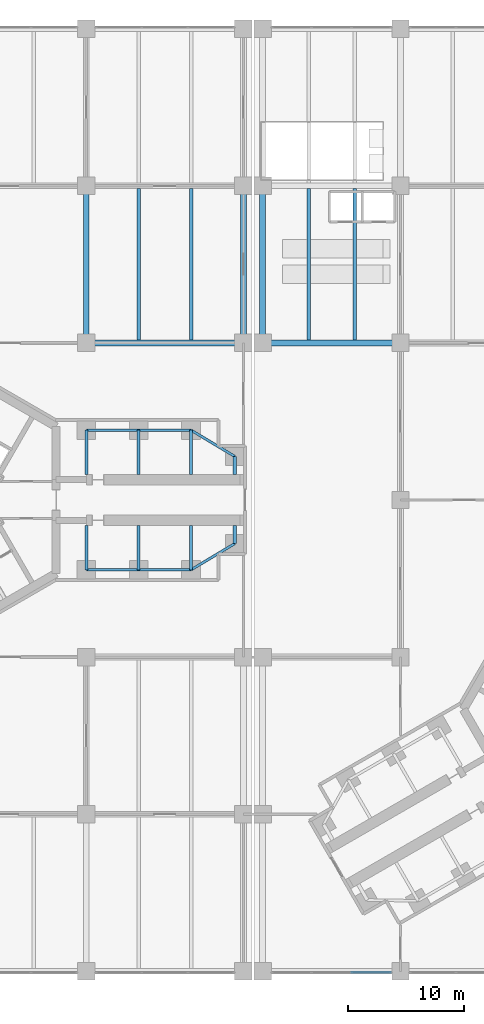
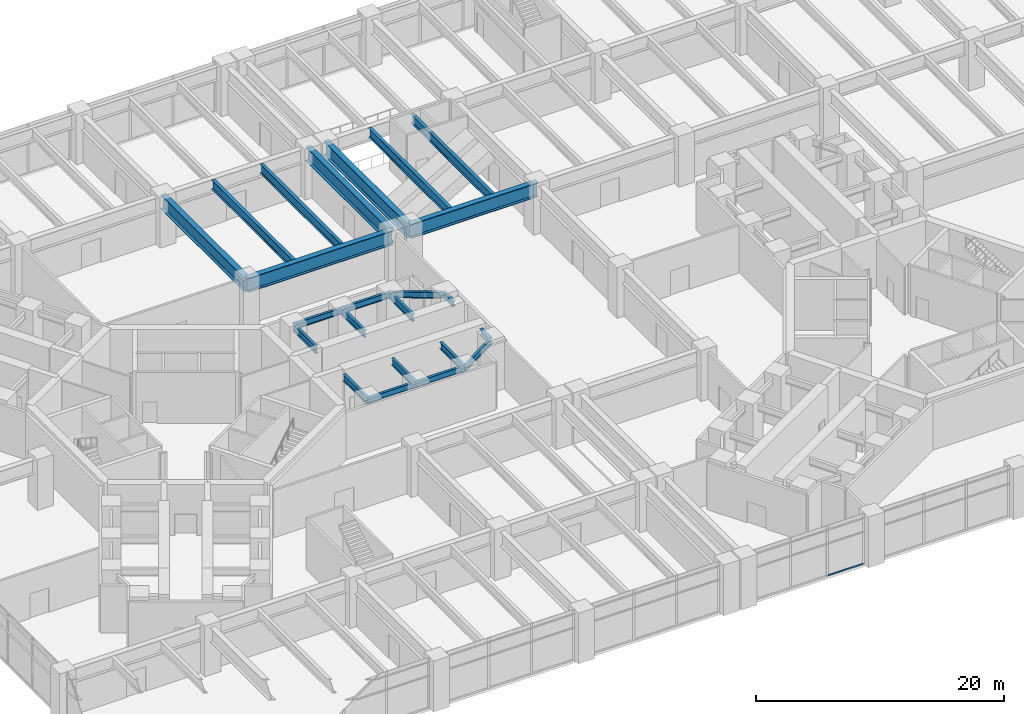
# One storey, part 8 of 32: 23 beams, 1 member, 1 element without a shape of its own.
"""IFC4 building model written with IfcOpenShell, lengths in metres."""

from ifc_helpers import new_model, si_unit, direction, frame, origin, origin_2d, place, context, subcontext, project, spatial, rectangle, i_section, extrude, material, material_profile, profile_set, type_object, element, aggregate, save


model = new_model("IFC4")

# Units and contexts
model_context = context("Model", 3, precision=1e-05, world=origin(), true_north=direction((0.0, 1.0)))
body_context = subcontext(model_context, "Body", "Model", "MODEL_VIEW")
ifc_project = project(units=[si_unit("LENGTHUNIT", "METRE"), si_unit("AREAUNIT", "SQUARE_METRE"), si_unit("VOLUMEUNIT", "CUBIC_METRE"), si_unit("PLANEANGLEUNIT", "RADIAN"), si_unit("MASSUNIT", "GRAM", prefix="KILO")], contexts=[model_context])

# Site, building, storey
site_placement = place(None, origin())
site = spatial("IfcSite", under=ifc_project, at=site_placement, CompositionType="ELEMENT")
building_placement = place(site_placement, origin())
building = spatial("IfcBuilding", under=site, at=building_placement, Name="Upepo Twin Towers", CompositionType="ELEMENT")
storey_placement = place(building_placement, frame((0.0, 0.0, 10.5)))
storey = spatial("IfcBuildingStorey", under=building, at=storey_placement, Name="L02", CompositionType="ELEMENT", Elevation=10.5)

# Beams
ifc_material_1 = material(Name="Steel S355", Category="steel")
ifc_material_profile_1 = material_profile(ifc_material_1, i_section(OverallWidth=0.5, OverallDepth=1.39990234375, WebThickness=0.02490234375, FlangeThickness=0.050048828125, FilletRadius=0.008056640625, at=origin_2d()), Name="PG 1400x500x25x50")
ifc_profile_set_1 = profile_set([ifc_material_profile_1], Name="Steel S355")
beam_type_1 = type_object("IfcBeamType", Name="Beam PG 1400x500x25x50", PredefinedType="BEAM", material=ifc_profile_set_1)
beam_1_placement = place(storey_placement, frame((13.5, 13.5, 3.949951171875), z_axis=(1.0, 0.0, 0.0), x_axis=(0.0, 1.0, 0.0)))
element("IfcBeam", 1, at=beam_1_placement, inside=storey, type_object=beam_type_1, Name="Podium girder E/4-5", PredefinedType="BEAM", context=body_context, shape_type="SweptSolid", body=[
    extrude(i_section(OverallWidth=0.5, OverallDepth=1.39990234375, WebThickness=0.02490234375, FlangeThickness=0.050048828125, FilletRadius=0.008056640625, at=origin_2d()), origin(), (0.0, 0.0, 1.0), 13.5),
])
beam_2_placement = place(storey_placement, frame((28.64990234375, 13.5, 3.949951171875), z_axis=(1.0, 0.0, 0.0), x_axis=(0.0, 1.0, 0.0)))
element("IfcBeam", 2, at=beam_2_placement, inside=storey, type_object=beam_type_1, Name="Podium girder E/5a-6", PredefinedType="BEAM", context=body_context, shape_type="SweptSolid", body=[
    extrude(i_section(OverallWidth=0.5, OverallDepth=1.39990234375, WebThickness=0.02490234375, FlangeThickness=0.050048828125, FilletRadius=0.008056640625, at=origin_2d()), origin(), (0.0, 0.0, 1.0), 11.85009765625),
])
for number, where, z_axis, x_axis, name in (
    (3, (13.5, 13.5, 3.949951171875), (0.0, 1.0, 0.0), (-1.0, 0.0, 0.0), "Podium girder 4/E-F"),
    (4, (27.0, 13.5, 3.949951171875), (0.0, 1.0, 0.0), (-1.0, 0.0, 0.0), "Podium girder 5/E-F"),
    (5, (28.64990234375, 13.5, 3.949951171875), (0.0, 1.0, 0.0), (-1.0, 0.0, 0.0), "Podium girder 5a/E-F"),
):
    element("IfcBeam", number, at=place(storey_placement, frame(where, z_axis=z_axis, x_axis=x_axis)), inside=storey, type_object=beam_type_1, Name=name, PredefinedType="BEAM", context=body_context, shape_type="SweptSolid", body=[
        extrude(i_section(OverallWidth=0.5, OverallDepth=1.39990234375, WebThickness=0.02490234375, FlangeThickness=0.050048828125, FilletRadius=0.008056640625, at=origin_2d()), origin(), (0.0, 0.0, 1.0), 13.5),
    ])
ifc_material_2 = material(Name="Steel S355", Category="steel")
ifc_material_profile_2 = material_profile(ifc_material_2, i_section(OverallWidth=0.31201171875, OverallDepth=0.54345703125, WebThickness=0.0126953125, FlangeThickness=0.020263671875, FilletRadius=0.0126953125, at=origin_2d()), Name="UB 533x312x150")
ifc_profile_set_2 = profile_set([ifc_material_profile_2], Name="Steel S355")
beam_type_2 = type_object("IfcBeamType", Name="Beam UB 533x312x150", PredefinedType="BEAM", material=ifc_profile_set_2)
for number, where, z_axis, x_axis, name in (
    (6, (26.25, 3.75, 4.378173828125), (0.0, -1.0, 0.0), (1.0, 0.0, 0.0), "T1 nose beam AL"),
    (7, (26.25, -3.75, 4.378173828125), (0.0, 1.0, 0.0), (-1.0, 0.0, 0.0), "T1 nose beam AR"),
):
    element("IfcBeam", number, at=place(storey_placement, frame(where, z_axis=z_axis, x_axis=x_axis)), inside=storey, type_object=beam_type_2, Name=name, PredefinedType="BEAM", context=body_context, shape_type="SweptSolid", body=[
        extrude(i_section(OverallWidth=0.31201171875, OverallDepth=0.54345703125, WebThickness=0.0126953125, FlangeThickness=0.020263671875, FilletRadius=0.0126953125, at=origin_2d()), origin(), (0.0, 0.0, 1.0), 1.550048828125),
    ])
ifc_material_3 = material(Name="Steel S355", Category="steel")
ifc_material_profile_3 = material_profile(ifc_material_3, i_section(OverallWidth=0.228271484375, OverallDepth=0.607666015625, WebThickness=0.010986328125, FlangeThickness=0.017333984375, FilletRadius=0.0126953125, at=origin_2d()), Name="UB 610x229x113")
ifc_profile_set_3 = profile_set([ifc_material_profile_3], Name="Steel S355")
beam_type_3 = type_object("IfcBeamType", Name="Beam UB 610x229x113", PredefinedType="BEAM", material=ifc_profile_set_3)
for number, where, z_axis, x_axis, name in (
    (8, (13.5, 6.0, 4.34619140625), (1.0, 0.0, 0.0), (0.0, 1.0, 0.0), "T1 edge beam AL 13.5-18.0"),
    (9, (18.0, 6.0, 4.34619140625), (1.0, 0.0, 0.0), (0.0, 1.0, 0.0), "T1 edge beam AL 18.0-22.5"),
):
    element("IfcBeam", number, at=place(storey_placement, frame(where, z_axis=z_axis, x_axis=x_axis)), inside=storey, type_object=beam_type_3, Name=name, PredefinedType="BEAM", context=body_context, shape_type="SweptSolid", body=[
        extrude(i_section(OverallWidth=0.228271484375, OverallDepth=0.607666015625, WebThickness=0.010986328125, FlangeThickness=0.017333984375, FilletRadius=0.0126953125, at=origin_2d()), origin(), (0.0, 0.0, 1.0), 4.5),
    ])
beam_3_placement = place(storey_placement, frame((22.5, 6.0, 4.34619140625), z_axis=(0.857492925713, -0.514495755428, 0.0), x_axis=(0.514495755428, 0.857492925713, 0.0)))
element("IfcBeam", 10, at=beam_3_placement, inside=storey, type_object=beam_type_3, Name="T1 nose edge beam AL", PredefinedType="BEAM", context=body_context, shape_type="SweptSolid", body=[
    extrude(i_section(OverallWidth=0.228271484375, OverallDepth=0.607666015625, WebThickness=0.010986328125, FlangeThickness=0.017333984375, FilletRadius=0.0126953125, at=origin_2d()), origin(), (0.0, 0.0, 1.0), 4.373291015625),
])
for number, where, z_axis, x_axis, name in (
    (11, (13.5, -6.0, 4.34619140625), (1.0, 0.0, 0.0), (0.0, 1.0, 0.0), "T1 edge beam AR 13.5-18.0"),
    (12, (18.0, -6.0, 4.34619140625), (1.0, 0.0, 0.0), (0.0, 1.0, 0.0), "T1 edge beam AR 18.0-22.5"),
):
    element("IfcBeam", number, at=place(storey_placement, frame(where, z_axis=z_axis, x_axis=x_axis)), inside=storey, type_object=beam_type_3, Name=name, PredefinedType="BEAM", context=body_context, shape_type="SweptSolid", body=[
        extrude(i_section(OverallWidth=0.228271484375, OverallDepth=0.607666015625, WebThickness=0.010986328125, FlangeThickness=0.017333984375, FilletRadius=0.0126953125, at=origin_2d()), origin(), (0.0, 0.0, 1.0), 4.5),
    ])
beam_4_placement = place(storey_placement, frame((22.5, -6.0, 4.34619140625), z_axis=(0.857492925713, 0.514495755428, 0.0), x_axis=(-0.514495755428, 0.857492925713, 0.0)))
element("IfcBeam", 13, at=beam_4_placement, inside=storey, type_object=beam_type_3, Name="T1 nose edge beam AR", PredefinedType="BEAM", context=body_context, shape_type="SweptSolid", body=[
    extrude(i_section(OverallWidth=0.228271484375, OverallDepth=0.607666015625, WebThickness=0.010986328125, FlangeThickness=0.017333984375, FilletRadius=0.0126953125, at=origin_2d()), origin(), (0.0, 0.0, 1.0), 4.373291015625),
])
ifc_material_4 = material(Name="Steel S355", Category="steel")
ifc_material_profile_4 = material_profile(ifc_material_4, i_section(OverallWidth=0.253662109375, OverallDepth=0.68359375, WebThickness=0.012451171875, FlangeThickness=0.01904296875, FilletRadius=0.01513671875, at=origin_2d()), Name="UB 686x254x140")
ifc_profile_set_4 = profile_set([ifc_material_profile_4], Name="Steel S355")
beam_type_4 = type_object("IfcBeamType", Name="Beam UB 686x254x140", PredefinedType="BEAM", material=ifc_profile_set_4)
for number, where, z_axis, x_axis, name in (
    (14, (13.5, 6.0, 4.308349609375), (0.0, -1.0, 0.0), (1.0, 0.0, 0.0), "T1 girder AL at 13.5"),
    (15, (18.0, 6.0, 4.308349609375), (0.0, -1.0, 0.0), (1.0, 0.0, 0.0), "T1 girder AL at 18.0"),
    (16, (22.5, 6.0, 4.308349609375), (0.0, -1.0, 0.0), (1.0, 0.0, 0.0), "T1 girder AL at 22.5"),
    (17, (13.5, -6.0, 4.308349609375), (0.0, 1.0, 0.0), (-1.0, 0.0, 0.0), "T1 girder AR at 13.5"),
    (18, (18.0, -6.0, 4.308349609375), (0.0, 1.0, 0.0), (-1.0, 0.0, 0.0), "T1 girder AR at 18.0"),
    (19, (22.5, -6.0, 4.308349609375), (0.0, 1.0, 0.0), (-1.0, 0.0, 0.0), "T1 girder AR at 22.5"),
):
    element("IfcBeam", number, at=place(storey_placement, frame(where, z_axis=z_axis, x_axis=x_axis)), inside=storey, type_object=beam_type_4, Name=name, PredefinedType="BEAM", context=body_context, shape_type="SweptSolid", body=[
        extrude(i_section(OverallWidth=0.253662109375, OverallDepth=0.68359375, WebThickness=0.012451171875, FlangeThickness=0.01904296875, FilletRadius=0.01513671875, at=origin_2d()), origin(), (0.0, 0.0, 1.0), 3.800048828125),
    ])
ifc_material_5 = material(Name="Steel S355", Category="steel")
ifc_material_profile_5 = material_profile(ifc_material_5, i_section(OverallWidth=0.305419921875, OverallDepth=0.91845703125, WebThickness=0.017333984375, FlangeThickness=0.02783203125, FilletRadius=0.01904296875, at=origin_2d()), Name="UB 914x305x253")
ifc_profile_set_5 = profile_set([ifc_material_profile_5], Name="Steel S355")
beam_type_5 = type_object("IfcBeamType", Name="Secondary beam UB 914x305x253", PredefinedType="JOIST", material=ifc_profile_set_5)
for number, where, z_axis, x_axis, name in (
    (20, (18.0, 13.75, 4.19091796875), (0.0, 1.0, 0.0), (-1.0, 0.0, 0.0), "Podium secondary beam E4.1"),
    (21, (22.5, 13.75, 4.19091796875), (0.0, 1.0, 0.0), (-1.0, 0.0, 0.0), "Podium secondary beam E4.2"),
    (22, (32.60009765625, 13.75, 4.19091796875), (0.0, 1.0, 0.0), (-1.0, 0.0, 0.0), "Podium secondary beam E5a.1"),
    (23, (36.550048828125, 13.75, 4.19091796875), (0.0, 1.0, 0.0), (-1.0, 0.0, 0.0), "Podium secondary beam E5a.2"),
):
    element("IfcBeam", number, at=place(storey_placement, frame(where, z_axis=z_axis, x_axis=x_axis)), inside=storey, type_object=beam_type_5, Name=name, PredefinedType="JOIST", context=body_context, shape_type="SweptSolid", body=[
        extrude(i_section(OverallWidth=0.305419921875, OverallDepth=0.91845703125, WebThickness=0.017333984375, FlangeThickness=0.02783203125, FilletRadius=0.01904296875, at=origin_2d()), origin(), (0.0, 0.0, 1.0), 13.0),
    ])

# Curtain wall, member
ifc_material_6 = material(Name="Aluminium and clear glass", Category="aluminium")
curtain_wall_type = type_object("IfcCurtainWallType", Name="Podium curtain wall PW1", PredefinedType="NOTDEFINED", material=ifc_material_6)
curtain_wall_placement = place(storey_placement, origin())
curtain_wall = element("IfcCurtainWall", 24, at=curtain_wall_placement, inside=storey, type_object=curtain_wall_type, Name="Podium L02 curtain wall S5", PredefinedType="NOTDEFINED")
ifc_material_7 = material(Name="Aluminium transom", Category="aluminium")
ifc_material_profile_6 = material_profile(ifc_material_7, rectangle(XDim=0.06494140625, YDim=0.14990234375, at=origin_2d()), Name="TRANSOM 65x150 PODIUM")
ifc_profile_set_6 = profile_set([ifc_material_profile_6], Name="Aluminium transom")
member_type = type_object("IfcMemberType", Name="Transom 65x150 PW1", PredefinedType="USERDEFINED", material=ifc_profile_set_6)
member_placement = place(storey_placement, frame((36.32080078125, -40.60009765625, 0.074951171875), z_axis=(1.0, 0.0, 0.0), x_axis=(0.0, 1.0, 0.0)))
member = element("IfcMember", 25, at=member_placement, type_object=member_type, Name="Podium L02 curtain wall S5 transom 3", ObjectType="TRANSOM", PredefinedType="USERDEFINED", context=body_context, shape_type="SweptSolid", body=[
    extrude(rectangle(XDim=0.06494140625, YDim=0.14990234375, at=origin_2d()), origin(), (0.0, 0.0, 1.0), 3.3291015625),
])
aggregate(curtain_wall, [member])

save(model, "model.ifc")
